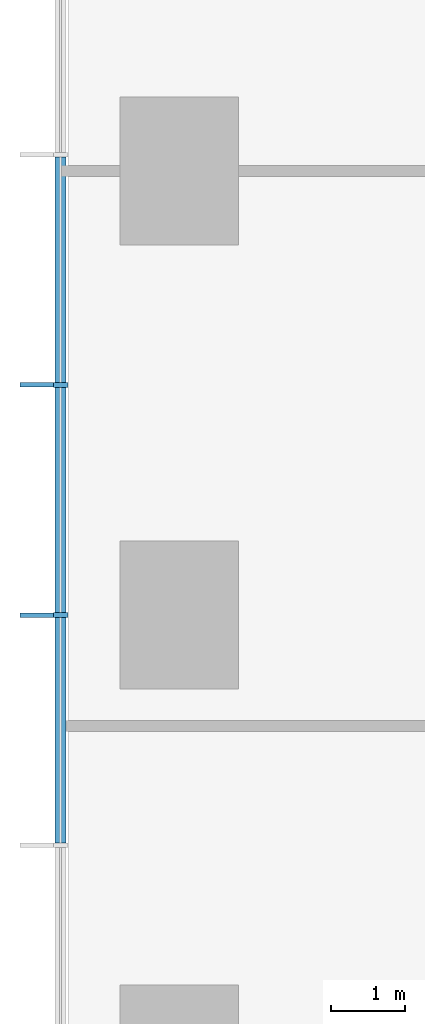
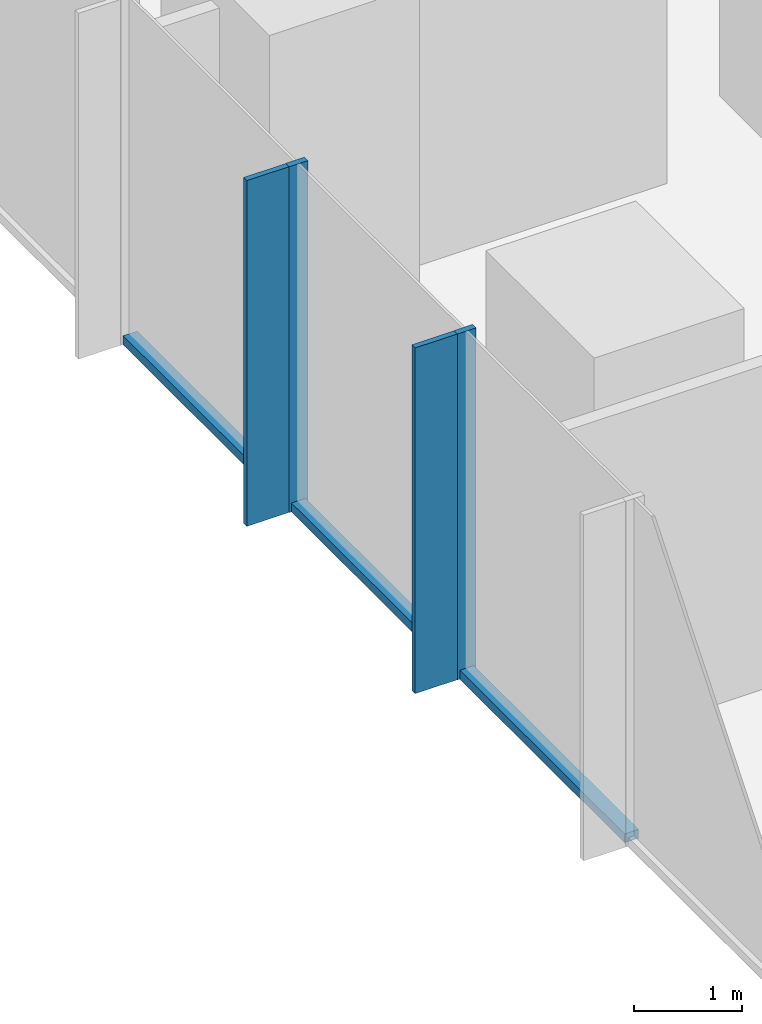
# One storey, part 3 of 12: 7 members, 1 element without a shape of its own.
"""IFC4 building model written with IfcOpenShell, lengths in metres."""

from ifc_helpers import new_model, si_unit, direction, frame, origin, origin_2d, place, context, subcontext, project, spatial, rectangle, extrude, material, layer, layer_set, material_profile, profile_set, type_object, element, aggregate, save


model = new_model("IFC4")

# Units and contexts
model_context = context("Model", 3, precision=1e-05, world=origin(), true_north=direction((0.0, 1.0)))
body_context = subcontext(model_context, "Body", "Model", "MODEL_VIEW")
ifc_project = project(units=[si_unit("LENGTHUNIT", "METRE"), si_unit("AREAUNIT", "SQUARE_METRE"), si_unit("VOLUMEUNIT", "CUBIC_METRE"), si_unit("PLANEANGLEUNIT", "RADIAN"), si_unit("MASSUNIT", "GRAM", prefix="KILO")], contexts=[model_context])

# Site, building, storey
site_placement = place(None, origin())
site = spatial("IfcSite", under=ifc_project, at=site_placement, CompositionType="ELEMENT")
building_placement = place(site_placement, origin())
building = spatial("IfcBuilding", under=site, at=building_placement, Name="Highveld Stack Headquarters", CompositionType="ELEMENT")
storey_placement = place(building_placement, frame((0.0, 0.0, 53.300048828125)))
storey = spatial("IfcBuildingStorey", under=building, at=storey_placement, Name="L12", CompositionType="ELEMENT", Elevation=53.300048828125)

# Curtain wall, members
ifc_material_1 = material(Name="Aluminium bronze anodised", Category="aluminium")
ifc_layer = layer(ifc_material_1, 0.199951171875)
ifc_layer_set = layer_set([ifc_layer], Name="Aluminium bronze anodised")
curtain_wall_type = type_object("IfcCurtainWallType", Name="CW1 TOWER UNITISED CURTAIN WALL", PredefinedType="NOTDEFINED", material=ifc_layer_set)
curtain_wall_placement = place(storey_placement, origin())
curtain_wall = element("IfcCurtainWall", 1, at=curtain_wall_placement, inside=storey, type_object=curtain_wall_type, Name="Curtain wall CW1 L12 W", PredefinedType="NOTDEFINED")
ifc_material_2 = material(Name="Aluminium bronze anodised", Category="aluminium")
ifc_material_profile_1 = material_profile(ifc_material_2, rectangle(XDim=0.449951171875, YDim=0.06005859375, at=origin_2d()), Name="FIN 450x60")
ifc_profile_set_1 = profile_set([ifc_material_profile_1], Name="Aluminium bronze anodised")
member_type_1 = type_object("IfcMemberType", Name="CW1 BRONZE FIN 450x60", PredefinedType="USERDEFINED", material=ifc_profile_set_1)
member_1_placement = place(storey_placement, frame((-19.925048828125, 3.110595703125, 0.0), z_axis=(0.0, 0.0, 1.0), x_axis=(1.0, 0.0, 0.0)))
member_1 = element("IfcMember", 2, at=member_1_placement, type_object=member_type_1, Name="CW1 fin L12 6", ObjectType="FIN", PredefinedType="USERDEFINED", context=body_context, shape_type="SweptSolid", body=[
    extrude(rectangle(XDim=0.449951171875, YDim=0.06005859375, at=origin_2d()), origin(), (0.0, 0.0, 1.0), 3.89990234375),
])
member_2_placement = place(storey_placement, frame((-19.925048828125, 0.0, 0.0), z_axis=(0.0, 0.0, 1.0), x_axis=(1.0, 0.0, 0.0)))
member_2 = element("IfcMember", 3, at=member_2_placement, type_object=member_type_1, Name="CW1 fin L12 7", ObjectType="FIN", PredefinedType="USERDEFINED", context=body_context, shape_type="SweptSolid", body=[
    extrude(rectangle(XDim=0.449951171875, YDim=0.06005859375, at=origin_2d()), origin(), (0.0, 0.0, 1.0), 3.89990234375),
])
ifc_material_3 = material(Name="Aluminium bronze anodised", Category="aluminium")
ifc_material_profile_2 = material_profile(ifc_material_3, rectangle(XDim=0.199951171875, YDim=0.06494140625, at=origin_2d()), Name="CW1 MULLION 65x200")
ifc_profile_set_2 = profile_set([ifc_material_profile_2], Name="Aluminium bronze anodised")
member_type_2 = type_object("IfcMemberType", Name="CW1 MULLION 65x200", PredefinedType="MULLION", material=ifc_profile_set_2)
member_3_placement = place(storey_placement, frame((-19.60009765625, 3.110595703125, 0.0), z_axis=(0.0, 0.0, 1.0), x_axis=(1.0, 0.0, 0.0)))
member_3 = element("IfcMember", 4, at=member_3_placement, type_object=member_type_2, Name="CW1 mullion L12 6", PredefinedType="MULLION", context=body_context, shape_type="SweptSolid", body=[
    extrude(rectangle(XDim=0.199951171875, YDim=0.06494140625, at=origin_2d()), origin(), (0.0, 0.0, 1.0), 3.89990234375),
])
member_4_placement = place(storey_placement, frame((-19.60009765625, 0.0, 0.0), z_axis=(0.0, 0.0, 1.0), x_axis=(1.0, 0.0, 0.0)))
member_4 = element("IfcMember", 5, at=member_4_placement, type_object=member_type_2, Name="CW1 mullion L12 7", PredefinedType="MULLION", context=body_context, shape_type="SweptSolid", body=[
    extrude(rectangle(XDim=0.199951171875, YDim=0.06494140625, at=origin_2d()), origin(), (0.0, 0.0, 1.0), 3.89990234375),
])
ifc_material_4 = material(Name="Aluminium bronze anodised", Category="aluminium")
ifc_material_profile_3 = material_profile(ifc_material_4, rectangle(XDim=0.14990234375, YDim=0.10009765625, at=origin_2d()), Name="CW1 TRANSOM 150x100")
ifc_profile_set_3 = profile_set([ifc_material_profile_3], Name="Aluminium bronze anodised")
member_type_3 = type_object("IfcMemberType", Name="CW1 STACK TRANSOM 150x100", PredefinedType="USERDEFINED", material=ifc_profile_set_3)
member_5_placement = place(storey_placement, frame((-19.60009765625, 6.1884765625, 0.050048828125), z_axis=(0.0, -1.0, 0.0), x_axis=(1.0, 0.0, 0.0)))
member_5 = element("IfcMember", 6, at=member_5_placement, type_object=member_type_3, Name="CW1 transom L12 5.1", ObjectType="TRANSOM", PredefinedType="USERDEFINED", context=body_context, shape_type="SweptSolid", body=[
    extrude(rectangle(XDim=0.14990234375, YDim=0.10009765625, at=origin_2d()), origin(), (0.0, 0.0, 1.0), 3.04541015625),
])
member_6_placement = place(storey_placement, frame((-19.60009765625, 3.077880859375, 0.050048828125), z_axis=(0.0, -1.0, 0.0), x_axis=(1.0, 0.0, 0.0)))
member_6 = element("IfcMember", 7, at=member_6_placement, type_object=member_type_3, Name="CW1 transom L12 6.1", ObjectType="TRANSOM", PredefinedType="USERDEFINED", context=body_context, shape_type="SweptSolid", body=[
    extrude(rectangle(XDim=0.14990234375, YDim=0.10009765625, at=origin_2d()), origin(), (0.0, 0.0, 1.0), 3.04541015625),
])
member_7_placement = place(storey_placement, frame((-19.60009765625, -0.032470703125, 0.050048828125), z_axis=(0.0, -1.0, 0.0), x_axis=(1.0, 0.0, 0.0)))
member_7 = element("IfcMember", 8, at=member_7_placement, type_object=member_type_3, Name="CW1 transom L12 7.1", ObjectType="TRANSOM", PredefinedType="USERDEFINED", context=body_context, shape_type="SweptSolid", body=[
    extrude(rectangle(XDim=0.14990234375, YDim=0.10009765625, at=origin_2d()), origin(), (0.0, 0.0, 1.0), 3.04541015625),
])
aggregate(curtain_wall, [member_3, member_1, member_4, member_2, member_5, member_6, member_7])

save(model, "model.ifc")
